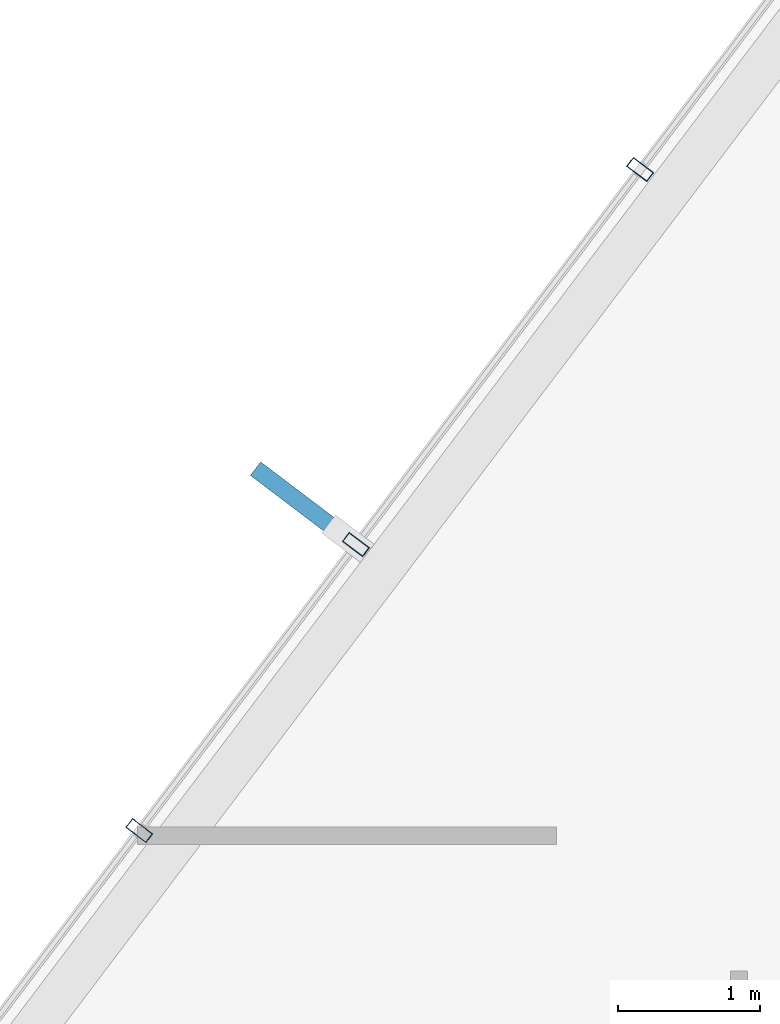
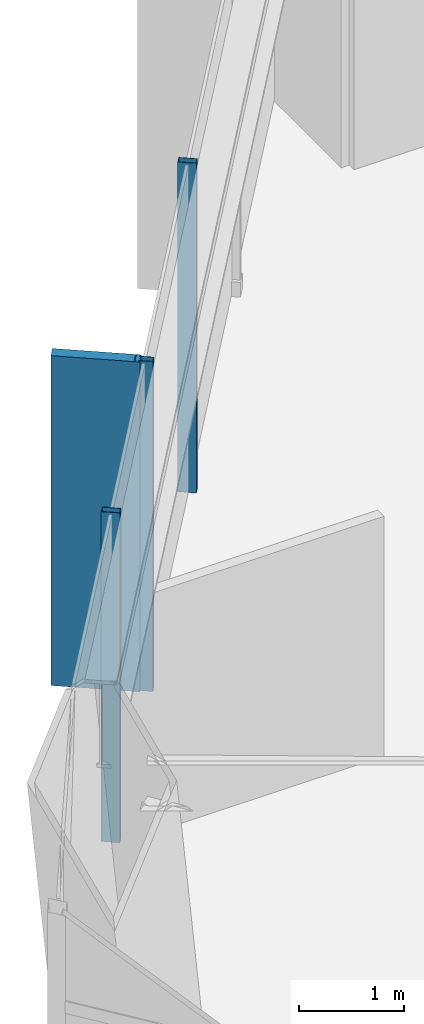
# One storey, part 12 of 27: 4 members, 1 element without a shape of its own.
"""IFC4 building model written with IfcOpenShell, lengths in metres."""

import ifcopenshell
import ifcopenshell.guid

model = None  # the IFC model being written
_history = None  # IfcOwnerHistory: only IFC2X3 demands one
_inside = {}  # id of a spatial element -> (the spatial element, [elements in it])
_under = {}  # id of a project, library or spatial element -> (it, [spatial elements below it])
_declared = {}  # id of a project -> (the project, [libraries it declares])
_typed = {}  # id of a type object -> (the type object, [elements of that type])
_made_of = {}  # id of a material, layer set ... -> (it, [elements and type objects made of it])


def new_model(schema):
    """Start an empty IFC model of exactly this schema.

    Asked for "IFC4X3", IfcOpenShell would pick the latest addendum, in which some entities
    have other attributes; the version numbers below select the first issue.
    IFC2X3 requires an IfcOwnerHistory on every rooted entity: one is made here for all.
    """
    global model, _history
    if schema == "IFC4X3":
        model = ifcopenshell.file(schema_version=(4, 3, 0, 0))
    else:
        model = ifcopenshell.file(schema=schema)
    _inside.clear()
    _under.clear()
    _declared.clear()
    _typed.clear()
    _made_of.clear()
    _history = None
    if model.schema == "IFC2X3":
        org = make("IfcOrganization", Name="unknown")
        user = make(
            "IfcPersonAndOrganization",
            ThePerson=make("IfcPerson", FamilyName="unknown"),
            TheOrganization=org,
        )
        app = make(
            "IfcApplication",
            ApplicationDeveloper=org,
            Version="unknown",
            ApplicationFullName="unknown",
            ApplicationIdentifier="unknown",
        )
        _history = make(
            "IfcOwnerHistory",
            OwningUser=user,
            OwningApplication=app,
            ChangeAction="ADDED",
            CreationDate=0,
        )
    return model


def make(cls, **values):
    """One entity of the class cls with the attributes given. An attribute that is None is left unset."""
    return model.create_entity(
        cls, **{name: value for name, value in values.items() if value is not None}
    )


def rooted(cls, **values):
    """An entity with a GlobalId (a new one), such as an element, a storey or a relation."""
    return make(cls, GlobalId=ifcopenshell.guid.new(), OwnerHistory=_history, **values)


def si_unit(unit_type, name, prefix=None):
    """IfcSIUnit, for example si_unit("LENGTHUNIT", "METRE", prefix="MILLI")."""
    return make("IfcSIUnit", UnitType=unit_type, Prefix=prefix, Name=name)


def assignment(units):
    """IfcUnitAssignment: the units of a project."""
    return None if units is None else make("IfcUnitAssignment", Units=units)


def point(xyz):
    """IfcCartesianPoint."""
    return None if xyz is None else make("IfcCartesianPoint", Coordinates=xyz)


def direction(xyz):
    """IfcDirection."""
    return None if xyz is None else make("IfcDirection", DirectionRatios=xyz)


def frame(location, z_axis=None, x_axis=None):
    """IfcAxis2Placement3D, a coordinate frame: its origin and axes. An axis left out is left unset."""
    return make(
        "IfcAxis2Placement3D",
        Location=point(location),
        Axis=direction(z_axis),
        RefDirection=direction(x_axis),
    )


def frame_2d(location, x_axis=None):
    """IfcAxis2Placement2D, a coordinate frame in the plane: its origin and x axis."""
    return make(
        "IfcAxis2Placement2D", Location=point(location), RefDirection=direction(x_axis)
    )


def origin():
    """The frame at (0, 0, 0) with its axes left unset."""
    return frame((0.0, 0.0, 0.0))


def origin_2d():
    """The frame at (0, 0) in the plane with its x axis left unset."""
    return frame_2d((0.0, 0.0))


def place(relative_to, where):
    """IfcLocalPlacement: puts the frame where relative to a parent placement (None: the world)."""
    return make(
        "IfcLocalPlacement", PlacementRelTo=relative_to, RelativePlacement=where
    )


def context(
    kind, dimensions, precision=None, world=None, true_north=None, identifier=None
):
    """IfcGeometricRepresentationContext, for example the 3D "Model" context."""
    return make(
        "IfcGeometricRepresentationContext",
        ContextIdentifier=identifier,
        ContextType=kind,
        CoordinateSpaceDimension=dimensions,
        Precision=precision,
        WorldCoordinateSystem=world,
        TrueNorth=true_north,
    )


def subcontext(parent, identifier, kind, view, scale=None):
    """IfcGeometricRepresentationSubContext, for example "Body" below "Model"."""
    return make(
        "IfcGeometricRepresentationSubContext",
        ContextIdentifier=identifier,
        ContextType=kind,
        ParentContext=parent,
        TargetScale=scale,
        TargetView=view,
    )


def project(units=None, contexts=None):
    """IfcProject with its units and contexts."""
    return rooted(
        "IfcProject",
        Name="project",
        RepresentationContexts=contexts,
        UnitsInContext=assignment(units),
    )


def spatial(cls, under=None, at=None, **own):
    """A site, building, storey or space (cls), placed at a placement, below another one or the project."""
    s = rooted(cls, ObjectPlacement=at, **own)
    if under is not None:
        _under.setdefault(under.id(), (under, []))[1].append(s)
    return s


def profile(cls, at=None, kind="AREA", **sizes):
    """A parametric profile (cls). Its sizes go by their IFC names, for example OverallWidth=200.0."""
    return make(cls, ProfileType=kind, Position=at, **sizes)


def rectangle(**sizes):
    """IfcRectangleProfileDef."""
    return profile("IfcRectangleProfileDef", **sizes)


def hollow_rectangle(**sizes):
    """IfcRectangleHollowProfileDef."""
    return profile("IfcRectangleHollowProfileDef", **sizes)


def extrude(swept, where, along, depth):
    """IfcExtrudedAreaSolid: the profile swept, set in the frame where, extruded along a direction by depth."""
    return make(
        "IfcExtrudedAreaSolid",
        SweptArea=swept,
        Position=where,
        ExtrudedDirection=direction(along),
        Depth=depth,
    )


def shape(context_of_items, identifier, shape_type, items):
    """IfcShapeRepresentation: the items that make up one representation, for example the "Body"."""
    return make(
        "IfcShapeRepresentation",
        ContextOfItems=context_of_items,
        RepresentationIdentifier=identifier,
        RepresentationType=shape_type,
        Items=items,
    )


def material(Name=None, Category=None):
    """IfcMaterial."""
    return make("IfcMaterial", Name=Name, Category=Category)


def layer(
    of_material, thickness, ventilated=None, Name=None, Category=None, Priority=None
):
    """IfcMaterialLayer: one layer of a wall or slab, of a material (None: an air gap)."""
    return make(
        "IfcMaterialLayer",
        Material=of_material,
        LayerThickness=thickness,
        IsVentilated=ventilated,
        Name=Name,
        Category=Category,
        Priority=Priority,
    )


def layer_set(layers, Name=None):
    """IfcMaterialLayerSet."""
    return make("IfcMaterialLayerSet", MaterialLayers=layers, LayerSetName=Name)


def material_profile(
    of_material, cross_section, Name=None, Category=None, Priority=None
):
    """IfcMaterialProfile: a cross section and its material."""
    return make(
        "IfcMaterialProfile",
        Name=Name,
        Material=of_material,
        Profile=cross_section,
        Priority=Priority,
        Category=Category,
    )


def profile_set(profiles, Name=None, composite=None):
    """IfcMaterialProfileSet."""
    return make(
        "IfcMaterialProfileSet",
        Name=Name,
        MaterialProfiles=profiles,
        CompositeProfile=composite,
    )


def made_of(thing, what):
    """Note that an element or type object is made of a material, layer set ...; save() writes the relation."""
    if what is not None:
        _made_of.setdefault(what.id(), (what, []))[1].append(thing)
    return thing


def type_object(cls, material=None, **own):
    """A type object (cls), such as IfcWallType, which elements share."""
    return made_of(rooted(cls, **own), material)


def element(
    cls,
    number,
    at=None,
    inside=None,
    cuts=None,
    type_object=None,
    material=None,
    context=None,
    identifier="Body",
    shape_type=None,
    held_by="IfcProductDefinitionShape",
    body=None,
    shapes=None,
    **own,
):
    """One element of the class cls, such as IfcWall. Its Tag is "e" and its number.

    at: its placement. inside: the storey or other place that contains it. cuts: it is an
    opening in that element (IfcRelVoidsElement). A single representation is given by context,
    identifier, shape_type and body (its items); several are given by shapes. held_by: the class
    of the entity that holds the representations. save() writes the other relations.
    """
    e = rooted(cls, Tag="e%d" % number, ObjectPlacement=at, **own)
    if body is not None:
        shapes = [shape(context, identifier, shape_type, body)]
    if shapes is not None:
        e.Representation = make(held_by, Representations=shapes)
    if inside is not None:
        _inside.setdefault(inside.id(), (inside, []))[1].append(e)
    if cuts is not None:
        rooted(
            "IfcRelVoidsElement", RelatingBuildingElement=cuts, RelatedOpeningElement=e
        )
    if type_object is not None:
        _typed.setdefault(type_object.id(), (type_object, []))[1].append(e)
    return made_of(e, material)


def aggregate(whole, parts):
    """IfcRelAggregates: a whole, such as a stair, and the parts it consists of."""
    return rooted("IfcRelAggregates", RelatingObject=whole, RelatedObjects=parts)


def save(model, path):
    """Write the relations noted so far, then the file.

    IfcRelAggregates (storeys below a building ...), IfcRelContainedInSpatialStructure (elements
    in a storey), IfcRelDefinesByType, IfcRelAssociatesMaterial and IfcRelDeclares: one each for
    every whole, place, type object, material and project.
    """
    for whole, parts in _under.values():
        aggregate(whole, parts)
    for where, things in _inside.values():
        rooted(
            "IfcRelContainedInSpatialStructure",
            RelatedElements=things,
            RelatingStructure=where,
        )
    for kind, things in _typed.values():
        rooted("IfcRelDefinesByType", RelatedObjects=things, RelatingType=kind)
    for what, things in _made_of.values():
        rooted("IfcRelAssociatesMaterial", RelatedObjects=things, RelatingMaterial=what)
    for by, libraries in _declared.values():
        rooted("IfcRelDeclares", RelatingContext=by, RelatedDefinitions=libraries)
    model.write(path)


model = new_model("IFC4")

# Units and contexts
model_context = context("Model", 3, precision=1e-05, world=origin(), true_north=direction((0.0, 1.0)))
body_context = subcontext(model_context, "Body", "Model", "MODEL_VIEW")
ifc_project = project(units=[si_unit("LENGTHUNIT", "METRE"), si_unit("AREAUNIT", "SQUARE_METRE"), si_unit("VOLUMEUNIT", "CUBIC_METRE"), si_unit("PLANEANGLEUNIT", "RADIAN"), si_unit("MASSUNIT", "GRAM", prefix="KILO")], contexts=[model_context])

# Site, building, storey
site_placement = place(None, origin())
site = spatial("IfcSite", under=ifc_project, at=site_placement, CompositionType="ELEMENT")
building_placement = place(site_placement, origin())
building = spatial("IfcBuilding", under=site, at=building_placement, Name="Zarrinselat Tower", CompositionType="ELEMENT")
storey_placement = place(building_placement, frame((0.0, 0.0, 47.93994140625)))
storey = spatial("IfcBuildingStorey", under=building, at=storey_placement, Name="L11", CompositionType="ELEMENT", Elevation=47.93994140625)

# Curtain wall, members
ifc_material_1 = material(Name="Extruded Aluminium Alloy EN AW-6063 T6", Category="aluminium")
ifc_layer = layer(ifc_material_1, 0.18505859375)
ifc_layer_set = layer_set([ifc_layer], Name="Extruded Aluminium Alloy EN AW-6063 T6")
curtain_wall_type = type_object("IfcCurtainWallType", Name="CWS-OFF", PredefinedType="NOTDEFINED", material=ifc_layer_set)
curtain_wall_placement = place(storey_placement, origin())
curtain_wall = element("IfcCurtainWall", 1, at=curtain_wall_placement, inside=storey, type_object=curtain_wall_type, Name="L11 Unitised Curtain Wall CW-L11-E02", PredefinedType="NOTDEFINED")
ifc_material_2 = material(Name="Extruded Aluminium Alloy EN AW-6063 T6", Category="aluminium")
ifc_material_profile_1 = material_profile(ifc_material_2, hollow_rectangle(XDim=0.080078125, YDim=0.179931640625, WallThickness=0.0048828125, at=origin_2d()), Name="RHS 180x80x5")
ifc_profile_set_1 = profile_set([ifc_material_profile_1], Name="Extruded Aluminium Alloy EN AW-6063 T6")
member_type_1 = type_object("IfcMemberType", Name="MEM-CW-MUL", PredefinedType="MULLION", material=ifc_profile_set_1)
member_1_placement = place(storey_placement, frame((21.805419921875, 42.1328125, 0.0), z_axis=(0.0, 0.0, 1.0), x_axis=(-0.603856912101, -0.797092735952, 0.0)))
member_1 = element("IfcMember", 2, at=member_1_placement, type_object=member_type_1, Name="CW-L11-E02 Mullion 4", PredefinedType="MULLION", context=body_context, shape_type="SweptSolid", body=[
    extrude(hollow_rectangle(XDim=0.080078125, YDim=0.179931640625, WallThickness=0.0048828125, at=origin_2d()), origin(), (0.0, 0.0, 1.0), 3.820068359375),
])
member_2_placement = place(storey_placement, frame((19.8076171875, 39.49560546875, 0.0), z_axis=(0.0, 0.0, 1.0), x_axis=(-0.603856912101, -0.797092735952, 0.0)))
member_2 = element("IfcMember", 3, at=member_2_placement, type_object=member_type_1, Name="CW-L11-E02 Mullion 5", PredefinedType="MULLION", context=body_context, shape_type="SweptSolid", body=[
    extrude(hollow_rectangle(XDim=0.080078125, YDim=0.179931640625, WallThickness=0.0048828125, at=origin_2d()), origin(), (0.0, 0.0, 1.0), 3.820068359375),
])
member_3_placement = place(storey_placement, frame((18.285400390625, 37.486083984375, 0.0), z_axis=(0.0, 0.0, 1.0), x_axis=(-0.603856912101, -0.797092735952, 0.0)))
member_3 = element("IfcMember", 4, at=member_3_placement, type_object=member_type_1, Name="CW-L11-E02 Mullion 6", PredefinedType="MULLION", context=body_context, shape_type="SweptSolid", body=[
    extrude(hollow_rectangle(XDim=0.080078125, YDim=0.179931640625, WallThickness=0.0048828125, at=origin_2d()), origin(), (0.0, 0.0, 1.0), 3.820068359375),
])
ifc_material_3 = material(Name="Honed Cream Travertine Stone", Category="masonry")
ifc_material_profile_2 = material_profile(ifc_material_3, rectangle(XDim=0.1201171875, YDim=0.85009765625, at=origin_2d()), Name="FIN 850x120")
ifc_profile_set_2 = profile_set([ifc_material_profile_2], Name="Honed Cream Travertine Stone")
member_type_2 = type_object("IfcMemberType", Name="MEM-STONE-FIN", PredefinedType="USERDEFINED", material=ifc_profile_set_2)
member_4_placement = place(storey_placement, frame((19.44091796875, 39.773193359375, 0.0), z_axis=(0.0, 0.0, 1.0), x_axis=(0.603856912101, 0.797092735952, 0.0)))
member_4 = element("IfcMember", 5, at=member_4_placement, type_object=member_type_2, Name="L11 Stone Shading Fin CW-L11-E02-05", ObjectType="FIN", PredefinedType="USERDEFINED", context=body_context, shape_type="SweptSolid", body=[
    extrude(rectangle(XDim=0.1201171875, YDim=0.85009765625, at=origin_2d()), origin(), (0.0, 0.0, 1.0), 3.820068359375),
])
aggregate(curtain_wall, [member_1, member_2, member_4, member_3])

save(model, "model.ifc")
